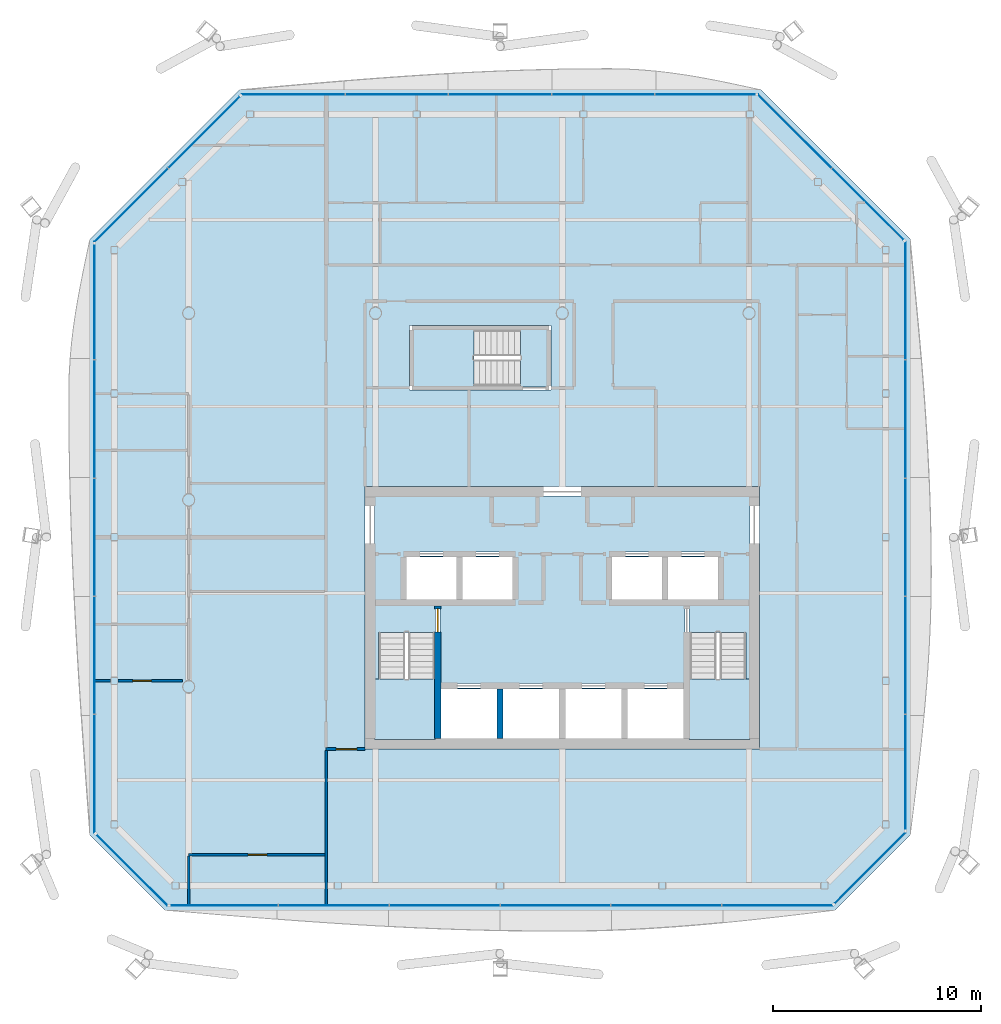
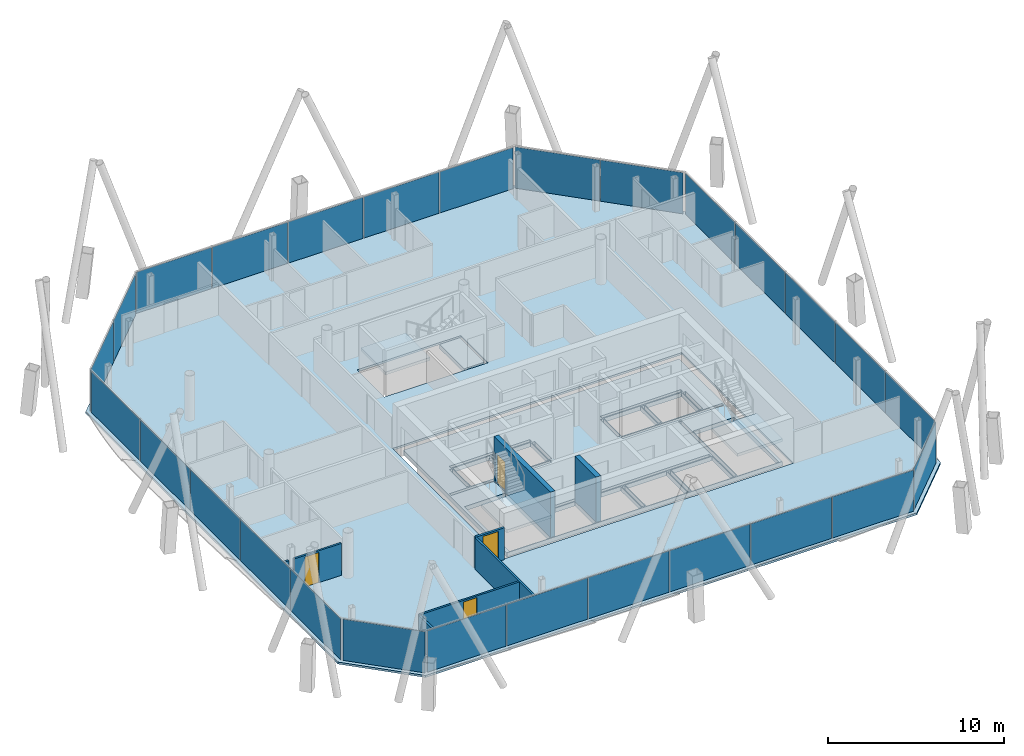
# One storey, part 13 of 20: 27 plates, 8 walls, 6 slabs, 4 doors, 4 openings, 11 elements without a shape of their own.
"""IFC4 building model written with IfcOpenShell, lengths in metres."""

from ifc_helpers import new_model, si_unit, direction, frame, frame_2d, origin, origin_2d, place, context, subcontext, project, spatial, polyline, rectangle, outline, extrude, material, layer, layer_set, type_object, element, fill, aggregate, save


model = new_model("IFC4")

# Units and contexts
model_context = context("Model", 3, precision=1e-05, world=origin(), true_north=direction((0.0, 1.0)))
body_context = subcontext(model_context, "Body", "Model", "MODEL_VIEW")
ifc_project = project(units=[si_unit("LENGTHUNIT", "METRE"), si_unit("AREAUNIT", "SQUARE_METRE"), si_unit("VOLUMEUNIT", "CUBIC_METRE"), si_unit("PLANEANGLEUNIT", "RADIAN"), si_unit("MASSUNIT", "GRAM", prefix="KILO")], contexts=[model_context])

# Site, building, storey
site_placement = place(None, origin())
site = spatial("IfcSite", under=ifc_project, at=site_placement, CompositionType="ELEMENT")
building_placement = place(site_placement, origin())
building = spatial("IfcBuilding", under=site, at=building_placement, Name="Tskaro Facet Tower", CompositionType="ELEMENT")
storey_placement = place(building_placement, frame((0.0, 0.0, 200.550048828125)))
storey = spatial("IfcBuildingStorey", under=building, at=storey_placement, Name="L51", CompositionType="ELEMENT", Elevation=200.550048828125)

# Slab
ifc_material_1 = material(Name="Concrete C30/37", Category="concrete")
ifc_layer_1 = layer(ifc_material_1, 0.139892578125, Name="Concrete C30/37")
ifc_layer_set_1 = layer_set([ifc_layer_1], Name="Concrete C30/37")
slab_type_1 = type_object("IfcSlabType", Name="Composite deck floor slab", PredefinedType="FLOOR", material=ifc_layer_set_1)
slab_1_placement = place(storey_placement, frame((0.0, 0.0, -0.14013671875)))
element("IfcSlab", 1, at=slab_1_placement, inside=storey, type_object=slab_type_1, Name="Floor slab FS3 L51", PredefinedType="FLOOR", context=body_context, shape_type="SweptSolid", body=[
    extrude(outline(polyline([(-19.1298828125, -19.782958984375), (13.1298828125, -19.782958984375), (16.782958984375, -16.1298828125), (16.782958984375, 12.54296875), (9.54296875, 19.782958984375), (-15.54296875, 19.782958984375), (-22.782958984375, 12.54296875), (-22.782958984375, -16.1298828125), (-19.1298828125, -19.782958984375)]), holes=[polyline([(-9.5, -12.0), (9.5, -12.0), (9.5, 0.64990234375), (-9.5, 0.64990234375), (-9.5, -12.0)]), polyline([(-7.35009765625, 5.300048828125), (-0.550048828125, 5.300048828125), (-0.550048828125, 8.39990234375), (-7.35009765625, 8.39990234375), (-7.35009765625, 5.300048828125)])]), origin(), (0.0, 0.0, 1.0), 0.14013671875),
])

# Curtain wall, plates
ifc_material_2 = material(Name="Bronze anodised aluminium 6063-T6", Category="aluminium")
curtain_wall_type = type_object("IfcCurtainWallType", Name="Bronze residence curtain wall (FW3)", PredefinedType="NOTDEFINED", material=ifc_material_2)
curtain_wall_1_placement = place(storey_placement, origin())
curtain_wall_1 = element("IfcCurtainWall", 2, at=curtain_wall_1_placement, inside=storey, type_object=curtain_wall_type, Name="FW3 south facet L51", PredefinedType="NOTDEFINED")
ifc_material_3 = material(Name="Bronze low-iron glass", Category="glass")
ifc_layer_2 = layer(ifc_material_3, 0.028076171875, Name="Bronze low-iron glass")
ifc_layer_set_2 = layer_set([ifc_layer_2], Name="Bronze low-iron glass")
plate_type = type_object("IfcPlateType", Name="FW3 bronze-tinted unit glazing 28", PredefinedType="CURTAIN_PANEL", material=ifc_layer_set_2)
plate_1_placement = place(storey_placement, frame((-16.297607421875, -19.532958984375, 0.0), z_axis=(0.0, 0.0, 1.0), x_axis=(1.0, 0.0, 0.0)))
plate_1 = element("IfcPlate", 3, at=plate_1_placement, type_object=plate_type, Name="FW3 south glazing 1.1", PredefinedType="CURTAIN_PANEL", context=body_context, shape_type="SweptSolid", body=[
    extrude(rectangle(XDim=5.177001953125, YDim=0.028076171875, at=origin_2d()), origin(), (0.0, 0.0, 1.0), 2.860107421875),
])
plate_2_placement = place(storey_placement, frame((-11.012939453125, -19.532958984375, 0.0), z_axis=(0.0, 0.0, 1.0), x_axis=(1.0, 0.0, 0.0)))
plate_2 = element("IfcPlate", 4, at=plate_2_placement, type_object=plate_type, Name="FW3 south glazing 2.1", PredefinedType="CURTAIN_PANEL", context=body_context, shape_type="SweptSolid", body=[
    extrude(rectangle(XDim=5.2919921875, YDim=0.028076171875, at=origin_2d()), origin(), (0.0, 0.0, 1.0), 2.860107421875),
])
plate_3_placement = place(storey_placement, frame((-5.6708984375, -19.532958984375, 0.0), z_axis=(0.0, 0.0, 1.0), x_axis=(1.0, 0.0, 0.0)))
plate_3 = element("IfcPlate", 5, at=plate_3_placement, type_object=plate_type, Name="FW3 south glazing 3.1", PredefinedType="CURTAIN_PANEL", context=body_context, shape_type="SweptSolid", body=[
    extrude(rectangle(XDim=5.2919921875, YDim=0.028076171875, at=origin_2d()), origin(), (0.0, 0.0, 1.0), 2.860107421875),
])
plate_4_placement = place(storey_placement, frame((-0.3291015625, -19.532958984375, 0.0), z_axis=(0.0, 0.0, 1.0), x_axis=(1.0, 0.0, 0.0)))
plate_4 = element("IfcPlate", 6, at=plate_4_placement, type_object=plate_type, Name="FW3 south glazing 4.1", PredefinedType="CURTAIN_PANEL", context=body_context, shape_type="SweptSolid", body=[
    extrude(rectangle(XDim=5.2919921875, YDim=0.028076171875, at=origin_2d()), origin(), (0.0, 0.0, 1.0), 2.860107421875),
])
plate_5_placement = place(storey_placement, frame((5.012939453125, -19.532958984375, 0.0), z_axis=(0.0, 0.0, 1.0), x_axis=(1.0, 0.0, 0.0)))
plate_5 = element("IfcPlate", 7, at=plate_5_placement, type_object=plate_type, Name="FW3 south glazing 5.1", PredefinedType="CURTAIN_PANEL", context=body_context, shape_type="SweptSolid", body=[
    extrude(rectangle(XDim=5.2919921875, YDim=0.028076171875, at=origin_2d()), origin(), (0.0, 0.0, 1.0), 2.860107421875),
])
plate_6_placement = place(storey_placement, frame((10.367431640625, -19.532958984375, 0.0), z_axis=(0.0, 0.0, 1.0), x_axis=(1.0, 0.0, 0.0)))
plate_6 = element("IfcPlate", 8, at=plate_6_placement, type_object=plate_type, Name="FW3 south glazing 6.1", PredefinedType="CURTAIN_PANEL", context=body_context, shape_type="SweptSolid", body=[
    extrude(rectangle(XDim=5.31689453125, YDim=0.028076171875, at=origin_2d()), origin(), (0.0, 0.0, 1.0), 2.860107421875),
])
aggregate(curtain_wall_1, [plate_1, plate_2, plate_3, plate_4, plate_5, plate_6])

# Curtain wall, plate
curtain_wall_2_placement = place(storey_placement, origin())
curtain_wall_2 = element("IfcCurtainWall", 9, at=curtain_wall_2_placement, inside=storey, type_object=curtain_wall_type, Name="FW3 south-east facet L51", PredefinedType="NOTDEFINED")
plate_7_placement = place(storey_placement, frame((14.8291015625, -17.72998046875, 0.0), z_axis=(0.0, 0.0, 1.0), x_axis=(0.707106781187, 0.707106781187, 0.0)))
plate_7 = element("IfcPlate", 10, at=plate_7_placement, type_object=plate_type, Name="FW3 south-east glazing 1.1", PredefinedType="CURTAIN_PANEL", context=body_context, shape_type="SweptSolid", body=[
    extrude(rectangle(XDim=4.819580078125, YDim=0.028076171875, at=origin_2d()), origin(), (0.0, 0.0, 1.0), 2.860107421875),
])
aggregate(curtain_wall_2, [plate_7])

# Curtain wall, plates
curtain_wall_3_placement = place(storey_placement, origin())
curtain_wall_3 = element("IfcCurtainWall", 11, at=curtain_wall_3_placement, inside=storey, type_object=curtain_wall_type, Name="FW3 east facet L51", PredefinedType="NOTDEFINED")
plate_8_placement = place(storey_placement, frame((16.532958984375, -13.1220703125, 0.0), z_axis=(0.0, 0.0, 1.0), x_axis=(0.0, 1.0, 0.0)))
plate_8 = element("IfcPlate", 12, at=plate_8_placement, type_object=plate_type, Name="FW3 east glazing 1.1", PredefinedType="CURTAIN_PANEL", context=body_context, shape_type="SweptSolid", body=[
    extrude(rectangle(XDim=5.528076171875, YDim=0.028076171875, at=origin_2d()), origin(), (0.0, 0.0, 1.0), 2.860107421875),
])
plate_9_placement = place(storey_placement, frame((16.532958984375, -7.486572265625, 0.0), z_axis=(0.0, 0.0, 1.0), x_axis=(0.0, 1.0, 0.0)))
plate_9 = element("IfcPlate", 13, at=plate_9_placement, type_object=plate_type, Name="FW3 east glazing 2.1", PredefinedType="CURTAIN_PANEL", context=body_context, shape_type="SweptSolid", body=[
    extrude(rectangle(XDim=5.64306640625, YDim=0.028076171875, at=origin_2d()), origin(), (0.0, 0.0, 1.0), 2.860107421875),
])
plate_10_placement = place(storey_placement, frame((16.532958984375, -1.79345703125, 0.0), z_axis=(0.0, 0.0, 1.0), x_axis=(0.0, 1.0, 0.0)))
plate_10 = element("IfcPlate", 14, at=plate_10_placement, type_object=plate_type, Name="FW3 east glazing 3.1", PredefinedType="CURTAIN_PANEL", context=body_context, shape_type="SweptSolid", body=[
    extrude(rectangle(XDim=5.64306640625, YDim=0.028076171875, at=origin_2d()), origin(), (0.0, 0.0, 1.0), 2.860107421875),
])
plate_11_placement = place(storey_placement, frame((16.532958984375, 3.8994140625, 0.0), z_axis=(0.0, 0.0, 1.0), x_axis=(0.0, 1.0, 0.0)))
plate_11 = element("IfcPlate", 15, at=plate_11_placement, type_object=plate_type, Name="FW3 east glazing 4.1", PredefinedType="CURTAIN_PANEL", context=body_context, shape_type="SweptSolid", body=[
    extrude(rectangle(XDim=5.64306640625, YDim=0.028076171875, at=origin_2d()), origin(), (0.0, 0.0, 1.0), 2.860107421875),
])
plate_12_placement = place(storey_placement, frame((16.532958984375, 9.60498046875, 0.0), z_axis=(0.0, 0.0, 1.0), x_axis=(0.0, 1.0, 0.0)))
plate_12 = element("IfcPlate", 16, at=plate_12_placement, type_object=plate_type, Name="FW3 east glazing 5.1", PredefinedType="CURTAIN_PANEL", context=body_context, shape_type="SweptSolid", body=[
    extrude(rectangle(XDim=5.66796875, YDim=0.028076171875, at=origin_2d()), origin(), (0.0, 0.0, 1.0), 2.860107421875),
])
aggregate(curtain_wall_3, [plate_8, plate_9, plate_10, plate_11, plate_12])

curtain_wall_4_placement = place(storey_placement, origin())
curtain_wall_4 = element("IfcCurtainWall", 17, at=curtain_wall_4_placement, inside=storey, type_object=curtain_wall_type, Name="FW3 north-east facet L51", PredefinedType="NOTDEFINED")
plate_13_placement = place(storey_placement, frame((14.71875, 14.253173828125, 0.0), z_axis=(0.0, 0.0, 1.0), x_axis=(-0.707106781187, 0.707106781187, 0.0)))
plate_13 = element("IfcPlate", 18, at=plate_13_placement, type_object=plate_type, Name="FW3 north-east glazing 1.1", PredefinedType="CURTAIN_PANEL", context=body_context, shape_type="SweptSolid", body=[
    extrude(rectangle(XDim=4.851318359375, YDim=0.028076171875, at=origin_2d()), origin(), (0.0, 0.0, 1.0), 2.860107421875),
])
plate_14_placement = place(storey_placement, frame((11.20361328125, 17.768310546875, 0.0), z_axis=(0.0, 0.0, 1.0), x_axis=(-0.707106781187, 0.707106781187, 0.0)))
plate_14 = element("IfcPlate", 19, at=plate_14_placement, type_object=plate_type, Name="FW3 north-east glazing 2.1", PredefinedType="CURTAIN_PANEL", context=body_context, shape_type="SweptSolid", body=[
    extrude(rectangle(XDim=4.9912109375, YDim=0.028076171875, at=origin_2d()), origin(), (0.0, 0.0, 1.0), 2.860107421875),
])
aggregate(curtain_wall_4, [plate_13, plate_14])

curtain_wall_5_placement = place(storey_placement, origin())
curtain_wall_5 = element("IfcCurtainWall", 20, at=curtain_wall_5_placement, inside=storey, type_object=curtain_wall_type, Name="FW3 north facet L51", PredefinedType="NOTDEFINED")
plate_15_placement = place(storey_placement, frame((6.893798828125, 19.532958984375, 0.0), z_axis=(0.0, 0.0, 1.0), x_axis=(-1.0, 0.0, 0.0)))
plate_15 = element("IfcPlate", 21, at=plate_15_placement, type_object=plate_type, Name="FW3 north glazing 1.1", PredefinedType="CURTAIN_PANEL", context=body_context, shape_type="SweptSolid", body=[
    extrude(rectangle(XDim=4.810546875, YDim=0.028076171875, at=origin_2d()), origin(), (0.0, 0.0, 1.0), 2.860107421875),
])
plate_16_placement = place(storey_placement, frame((1.9755859375, 19.532958984375, 0.0), z_axis=(0.0, 0.0, 1.0), x_axis=(-1.0, 0.0, 0.0)))
plate_16 = element("IfcPlate", 22, at=plate_16_placement, type_object=plate_type, Name="FW3 north glazing 2.1", PredefinedType="CURTAIN_PANEL", context=body_context, shape_type="SweptSolid", body=[
    extrude(rectangle(XDim=4.925537109375, YDim=0.028076171875, at=origin_2d()), origin(), (0.0, 0.0, 1.0), 2.860107421875),
])
plate_17_placement = place(storey_placement, frame((-3.0, 19.532958984375, 0.0), z_axis=(0.0, 0.0, 1.0), x_axis=(-1.0, 0.0, 0.0)))
plate_17 = element("IfcPlate", 23, at=plate_17_placement, type_object=plate_type, Name="FW3 north glazing 3.1", PredefinedType="CURTAIN_PANEL", context=body_context, shape_type="SweptSolid", body=[
    extrude(rectangle(XDim=4.925537109375, YDim=0.028076171875, at=origin_2d()), origin(), (0.0, 0.0, 1.0), 2.860107421875),
])
plate_18_placement = place(storey_placement, frame((-7.9755859375, 19.532958984375, 0.0), z_axis=(0.0, 0.0, 1.0), x_axis=(-1.0, 0.0, 0.0)))
plate_18 = element("IfcPlate", 24, at=plate_18_placement, type_object=plate_type, Name="FW3 north glazing 4.1", PredefinedType="CURTAIN_PANEL", context=body_context, shape_type="SweptSolid", body=[
    extrude(rectangle(XDim=4.925537109375, YDim=0.028076171875, at=origin_2d()), origin(), (0.0, 0.0, 1.0), 2.860107421875),
])
plate_19_placement = place(storey_placement, frame((-12.963623046875, 19.532958984375, 0.0), z_axis=(0.0, 0.0, 1.0), x_axis=(-1.0, 0.0, 0.0)))
plate_19 = element("IfcPlate", 25, at=plate_19_placement, type_object=plate_type, Name="FW3 north glazing 5.1", PredefinedType="CURTAIN_PANEL", context=body_context, shape_type="SweptSolid", body=[
    extrude(rectangle(XDim=4.95068359375, YDim=0.028076171875, at=origin_2d()), origin(), (0.0, 0.0, 1.0), 2.860107421875),
])
aggregate(curtain_wall_5, [plate_15, plate_16, plate_17, plate_18, plate_19])

curtain_wall_6_placement = place(storey_placement, origin())
curtain_wall_6 = element("IfcCurtainWall", 26, at=curtain_wall_6_placement, inside=storey, type_object=curtain_wall_type, Name="FW3 north-west facet L51", PredefinedType="NOTDEFINED")
plate_20_placement = place(storey_placement, frame((-17.253173828125, 17.71875, 0.0), z_axis=(0.0, 0.0, 1.0), x_axis=(-0.707106781187, -0.707106781187, 0.0)))
plate_20 = element("IfcPlate", 27, at=plate_20_placement, type_object=plate_type, Name="FW3 north-west glazing 1.1", PredefinedType="CURTAIN_PANEL", context=body_context, shape_type="SweptSolid", body=[
    extrude(rectangle(XDim=4.851318359375, YDim=0.028076171875, at=origin_2d()), origin(), (0.0, 0.0, 1.0), 2.860107421875),
])
plate_21_placement = place(storey_placement, frame((-20.768310546875, 14.20361328125, 0.0), z_axis=(0.0, 0.0, 1.0), x_axis=(-0.707106781187, -0.707106781187, 0.0)))
plate_21 = element("IfcPlate", 28, at=plate_21_placement, type_object=plate_type, Name="FW3 north-west glazing 2.1", PredefinedType="CURTAIN_PANEL", context=body_context, shape_type="SweptSolid", body=[
    extrude(rectangle(XDim=4.9912109375, YDim=0.028076171875, at=origin_2d()), origin(), (0.0, 0.0, 1.0), 2.860107421875),
])
aggregate(curtain_wall_6, [plate_20, plate_21])

curtain_wall_7_placement = place(storey_placement, origin())
curtain_wall_7 = element("IfcCurtainWall", 29, at=curtain_wall_7_placement, inside=storey, type_object=curtain_wall_type, Name="FW3 west facet L51", PredefinedType="NOTDEFINED")
plate_22_placement = place(storey_placement, frame((-22.532958984375, 9.534912109375, 0.0), z_axis=(0.0, 0.0, 1.0), x_axis=(0.0, -1.0, 0.0)))
plate_22 = element("IfcPlate", 30, at=plate_22_placement, type_object=plate_type, Name="FW3 west glazing 1.1", PredefinedType="CURTAIN_PANEL", context=body_context, shape_type="SweptSolid", body=[
    extrude(rectangle(XDim=5.528076171875, YDim=0.028076171875, at=origin_2d()), origin(), (0.0, 0.0, 1.0), 2.860107421875),
])
plate_23_placement = place(storey_placement, frame((-22.532958984375, 3.8994140625, 0.0), z_axis=(0.0, 0.0, 1.0), x_axis=(0.0, -1.0, 0.0)))
plate_23 = element("IfcPlate", 31, at=plate_23_placement, type_object=plate_type, Name="FW3 west glazing 2.1", PredefinedType="CURTAIN_PANEL", context=body_context, shape_type="SweptSolid", body=[
    extrude(rectangle(XDim=5.64306640625, YDim=0.028076171875, at=origin_2d()), origin(), (0.0, 0.0, 1.0), 2.860107421875),
])
plate_24_placement = place(storey_placement, frame((-22.532958984375, -1.79345703125, 0.0), z_axis=(0.0, 0.0, 1.0), x_axis=(0.0, -1.0, 0.0)))
plate_24 = element("IfcPlate", 32, at=plate_24_placement, type_object=plate_type, Name="FW3 west glazing 3.1", PredefinedType="CURTAIN_PANEL", context=body_context, shape_type="SweptSolid", body=[
    extrude(rectangle(XDim=5.64306640625, YDim=0.028076171875, at=origin_2d()), origin(), (0.0, 0.0, 1.0), 2.860107421875),
])
plate_25_placement = place(storey_placement, frame((-22.532958984375, -7.486572265625, 0.0), z_axis=(0.0, 0.0, 1.0), x_axis=(0.0, -1.0, 0.0)))
plate_25 = element("IfcPlate", 33, at=plate_25_placement, type_object=plate_type, Name="FW3 west glazing 4.1", PredefinedType="CURTAIN_PANEL", context=body_context, shape_type="SweptSolid", body=[
    extrude(rectangle(XDim=5.64306640625, YDim=0.028076171875, at=origin_2d()), origin(), (0.0, 0.0, 1.0), 2.860107421875),
])
plate_26_placement = place(storey_placement, frame((-22.532958984375, -13.19189453125, 0.0), z_axis=(0.0, 0.0, 1.0), x_axis=(0.0, -1.0, 0.0)))
plate_26 = element("IfcPlate", 34, at=plate_26_placement, type_object=plate_type, Name="FW3 west glazing 5.1", PredefinedType="CURTAIN_PANEL", context=body_context, shape_type="SweptSolid", body=[
    extrude(rectangle(XDim=5.66796875, YDim=0.028076171875, at=origin_2d()), origin(), (0.0, 0.0, 1.0), 2.860107421875),
])
aggregate(curtain_wall_7, [plate_22, plate_23, plate_24, plate_25, plate_26])

# Curtain wall, plate
curtain_wall_8_placement = place(storey_placement, origin())
curtain_wall_8 = element("IfcCurtainWall", 35, at=curtain_wall_8_placement, inside=storey, type_object=curtain_wall_type, Name="FW3 south-west facet L51", PredefinedType="NOTDEFINED")
plate_27_placement = place(storey_placement, frame((-20.72998046875, -17.8291015625, 0.0), z_axis=(0.0, 0.0, 1.0), x_axis=(0.707106781187, -0.707106781187, 0.0)))
plate_27 = element("IfcPlate", 36, at=plate_27_placement, type_object=plate_type, Name="FW3 south-west glazing 1.1", PredefinedType="CURTAIN_PANEL", context=body_context, shape_type="SweptSolid", body=[
    extrude(rectangle(XDim=4.819580078125, YDim=0.028076171875, at=origin_2d()), origin(), (0.0, 0.0, 1.0), 2.860107421875),
])
aggregate(curtain_wall_8, [plate_27])

# Stair, slab
ifc_material_4 = material(Name="Concrete C40/50", Category="concrete")
stair_type = type_object("IfcStairType", Name="ST-TWR", PredefinedType="HALF_TURN_STAIR", material=ifc_material_4)
stair_1_placement = place(storey_placement, origin())
stair_1 = element("IfcStair", 37, at=stair_1_placement, inside=storey, type_object=stair_type, Name="L51 Exit stair 1", PredefinedType="HALF_TURN_STAIR")
ifc_layer_3 = layer(ifc_material_4, 0.199951171875, Name="Concrete C40/50")
ifc_layer_set_3 = layer_set([ifc_layer_3], Name="Concrete C40/50")
slab_type_2 = type_object("IfcSlabType", Name="SL-LANDING", PredefinedType="LANDING", material=ifc_layer_set_3)
slab_2_placement = place(storey_placement, frame((0.0, 0.0, 1.375)))
slab_2 = element("IfcSlab", 38, at=slab_2_placement, type_object=slab_type_2, Name="ST-1 landing 1", PredefinedType="LANDING", context=body_context, shape_type="SweptSolid", body=[
    extrude(outline(polyline([(-9.050048828125, -11.550048828125), (-6.10009765625, -11.550048828125), (-6.10009765625, -8.614990234375), (-9.050048828125, -8.614990234375), (-9.050048828125, -11.550048828125)])), origin(), (0.0, 0.0, 1.0), 0.199951171875),
])
aggregate(stair_1, [slab_2])

stair_2_placement = place(storey_placement, origin())
stair_2 = element("IfcStair", 39, at=stair_2_placement, inside=storey, type_object=stair_type, Name="L51 Exit stair 2", PredefinedType="HALF_TURN_STAIR")
slab_3_placement = place(storey_placement, frame((0.0, 0.0, 1.375)))
slab_3 = element("IfcSlab", 40, at=slab_3_placement, type_object=slab_type_2, Name="ST-2 landing 1", PredefinedType="LANDING", context=body_context, shape_type="SweptSolid", body=[
    extrude(outline(polyline([(6.10009765625, -11.550048828125), (9.050048828125, -11.550048828125), (9.050048828125, -8.614990234375), (6.10009765625, -8.614990234375), (6.10009765625, -11.550048828125)])), origin(), (0.0, 0.0, 1.0), 0.199951171875),
])
aggregate(stair_2, [slab_3])

stair_3_placement = place(storey_placement, origin())
stair_3 = element("IfcStair", 41, at=stair_3_placement, inside=storey, type_object=stair_type, Name="L51 Exit stair 3", PredefinedType="HALF_TURN_STAIR")
slab_4_placement = place(storey_placement, frame((0.0, 0.0, 1.375)))
slab_4 = element("IfcSlab", 42, at=slab_4_placement, type_object=slab_type_2, Name="ST-3 landing 1", PredefinedType="LANDING", context=body_context, shape_type="SweptSolid", body=[
    extrude(outline(polyline([(-7.199951171875, 5.449951171875), (-4.264892578125, 5.449951171875), (-4.264892578125, 8.25), (-7.199951171875, 8.25), (-7.199951171875, 5.449951171875)])), origin(), (0.0, 0.0, 1.0), 0.199951171875),
])
aggregate(stair_3, [slab_4])

# Slabs
ifc_material_5 = material(Name="Concrete C60/75", Category="concrete")
ifc_layer_4 = layer(ifc_material_5, 0.300048828125, Name="Concrete C60/75")
ifc_layer_set_4 = layer_set([ifc_layer_4], Name="Concrete C60/75")
slab_type_3 = type_object("IfcSlabType", Name="SLAB-CORE", PredefinedType="FLOOR", material=ifc_layer_set_4)
slab_5_placement = place(storey_placement, frame((0.0, 0.0, -0.300048828125)))
element("IfcSlab", 43, at=slab_5_placement, inside=storey, type_object=slab_type_3, Name="Core floor slab 1", PredefinedType="FLOOR", context=body_context, shape_type="SweptSolid", body=[
    extrude(outline(polyline([(-9.050048828125, 0.199951171875), (9.050048828125, 0.199951171875), (9.050048828125, 0.10009765625), (9.050048828125, -11.449951171875), (9.050048828125, -11.550048828125), (-9.050048828125, -11.550048828125), (-9.050048828125, -11.449951171875), (-9.050048828125, 0.10009765625), (-9.050048828125, 0.199951171875)]), holes=[polyline([(-5.85009765625, -9.10009765625), (-5.85009765625, -11.5), (-3.14990234375, -11.5), (-3.14990234375, -9.10009765625), (-5.85009765625, -9.10009765625)]), polyline([(-3.10009765625, -11.449951171875), (-2.89990234375, -11.449951171875), (-2.89990234375, -9.14990234375), (-3.10009765625, -9.14990234375), (-3.10009765625, -11.449951171875)]), polyline([(-2.85009765625, -9.10009765625), (-2.85009765625, -11.5), (-0.14990234375, -11.5), (-0.14990234375, -9.10009765625), (-2.85009765625, -9.10009765625)]), polyline([(-6.10009765625, -11.449951171875), (-5.89990234375, -11.449951171875), (-5.89990234375, -5.14990234375), (-6.10009765625, -5.14990234375), (-6.10009765625, -11.449951171875)]), polyline([(-8.949951171875, -5.050048828125), (-2.300048828125, -5.050048828125), (-2.300048828125, -4.85009765625), (-8.949951171875, -4.85009765625), (-8.949951171875, -5.050048828125)]), polyline([(-7.75, -4.75), (-7.550048828125, -4.75), (-7.550048828125, -2.800048828125), (-7.75, -2.800048828125), (-7.75, -4.75)]), polyline([(-7.5, -2.75), (-7.5, -4.800048828125), (-5.10009765625, -4.800048828125), (-5.10009765625, -2.75), (-7.5, -2.75)]), polyline([(-5.050048828125, -4.75), (-4.85009765625, -4.75), (-4.85009765625, -2.800048828125), (-5.050048828125, -2.800048828125), (-5.050048828125, -4.75)]), polyline([(-4.800048828125, -4.800048828125), (-2.39990234375, -4.800048828125), (-2.39990234375, -2.75), (-4.800048828125, -2.75), (-4.800048828125, -4.800048828125)]), polyline([(-2.35009765625, -4.75), (-2.14990234375, -4.75), (-2.14990234375, -2.800048828125), (-2.35009765625, -2.800048828125), (-2.35009765625, -4.75)]), polyline([(-7.60009765625, -2.699951171875), (-2.300048828125, -2.699951171875), (-2.300048828125, -2.5), (-7.60009765625, -2.5), (-7.60009765625, -2.699951171875)]), polyline([(-0.10009765625, -11.449951171875), (0.10009765625, -11.449951171875), (0.10009765625, -9.14990234375), (-0.10009765625, -9.14990234375), (-0.10009765625, -11.449951171875)]), polyline([(0.14990234375, -9.10009765625), (0.14990234375, -11.5), (2.85009765625, -11.5), (2.85009765625, -9.10009765625), (0.14990234375, -9.10009765625)]), polyline([(2.89990234375, -11.449951171875), (3.10009765625, -11.449951171875), (3.10009765625, -9.14990234375), (2.89990234375, -9.14990234375), (2.89990234375, -11.449951171875)]), polyline([(3.14990234375, -9.10009765625), (3.14990234375, -11.5), (5.85009765625, -11.5), (5.85009765625, -9.10009765625), (3.14990234375, -9.10009765625)]), polyline([(-5.800048828125, -9.050048828125), (5.800048828125, -9.050048828125), (5.800048828125, -8.85009765625), (-5.800048828125, -8.85009765625), (-5.800048828125, -9.050048828125)]), polyline([(5.89990234375, -11.449951171875), (6.10009765625, -11.449951171875), (6.10009765625, -5.14990234375), (5.89990234375, -5.14990234375), (5.89990234375, -11.449951171875)]), polyline([(2.300048828125, -5.050048828125), (8.949951171875, -5.050048828125), (8.949951171875, -4.85009765625), (2.300048828125, -4.85009765625), (2.300048828125, -5.050048828125)]), polyline([(2.14990234375, -4.75), (2.35009765625, -4.75), (2.35009765625, -2.800048828125), (2.14990234375, -2.800048828125), (2.14990234375, -4.75)]), polyline([(4.800048828125, -2.75), (2.39990234375, -2.75), (2.39990234375, -4.800048828125), (4.800048828125, -4.800048828125), (4.800048828125, -2.75)]), polyline([(4.85009765625, -4.75), (5.050048828125, -4.75), (5.050048828125, -2.800048828125), (4.85009765625, -2.800048828125), (4.85009765625, -4.75)]), polyline([(5.10009765625, -4.800048828125), (7.5, -4.800048828125), (7.5, -2.75), (5.10009765625, -2.75), (5.10009765625, -4.800048828125)]), polyline([(7.550048828125, -4.75), (7.75, -4.75), (7.75, -2.800048828125), (7.550048828125, -2.800048828125), (7.550048828125, -4.75)]), polyline([(2.300048828125, -2.699951171875), (7.60009765625, -2.699951171875), (7.60009765625, -2.5), (2.300048828125, -2.5), (2.300048828125, -2.699951171875)]), polyline([(-8.85009765625, -11.5), (-6.14990234375, -11.5), (-6.14990234375, -6.39501953125), (-8.85009765625, -6.39501953125), (-8.85009765625, -11.5)]), polyline([(6.14990234375, -6.39501953125), (6.14990234375, -11.5), (8.85009765625, -11.5), (8.85009765625, -6.39501953125), (6.14990234375, -6.39501953125)])]), origin(), (0.0, 0.0, 1.0), 0.300048828125),
])
slab_6_placement = place(storey_placement, frame((0.0, 0.0, -0.300048828125)))
element("IfcSlab", 44, at=slab_6_placement, inside=storey, type_object=slab_type_3, Name="Stair 3 floor landing 1", PredefinedType="FLOOR", context=body_context, shape_type="SweptSolid", body=[
    extrude(outline(polyline([(-2.02490234375, 5.449951171875), (-0.699951171875, 5.449951171875), (-0.699951171875, 8.25), (-2.02490234375, 8.25), (-2.02490234375, 5.449951171875)])), origin(), (0.0, 0.0, 1.0), 0.300048828125),
])

# Wall, opening, door
ifc_layer_5 = layer(ifc_material_5, 0.300048828125, Name="Concrete C60/75")
ifc_layer_set_5 = layer_set([ifc_layer_5], Name="Concrete C60/75")
wall_type_1 = type_object("IfcWallType", Name="CORE-SHAFT", PredefinedType="SHEAR", material=ifc_layer_set_5)
wall_1_placement = place(storey_placement, frame((-6.0, -11.5, 0.0), z_axis=(0.0, 0.0, 1.0), x_axis=(0.0, 1.0, 0.0)))
wall_1 = element("IfcWall", 45, at=wall_1_placement, inside=storey, type_object=wall_type_1, Name="Shaft wall W055", PredefinedType="SHEAR", context=body_context, shape_type="SweptSolid", body=[
    extrude(rectangle(XDim=6.39990234375, YDim=0.300048828125, at=frame_2d((3.199951171875, 0.0))), origin(), (0.0, 0.0, 1.0), 3.14990234375),
])
opening_1_placement = place(wall_1_placement, frame((5.14990234375, 0.0, 0.0)))
opening_1 = element("IfcOpeningElement", 46, at=opening_1_placement, cuts=wall_1, Name="Opening ST-1-D1", PredefinedType="OPENING", context=body_context, shape_type="SweptSolid", body=[
    extrude(rectangle(XDim=1.10009765625, YDim=2.10009765625, at=frame_2d((0.550048828125, 1.050048828125))), frame((0.0, 0.159912109375, 0.0), z_axis=(0.0, -1.0, 0.0), x_axis=(1.0, 0.0, 0.0)), (0.0, 0.0, 1.0), 0.320068359375),
])
ifc_material_6 = material(Name="Steel", Category="steel")
door_type_1 = type_object("IfcDoorType", Name="D-STAIR", OperationType="NOTDEFINED", PredefinedType="DOOR", material=ifc_material_6)
door_1_placement = place(opening_1_placement, origin())
door_1 = element("IfcDoor", 47, at=door_1_placement, inside=storey, type_object=door_type_1, Name="Stair door 1", OperationType="SINGLE_SWING_LEFT", OverallHeight=2.10009765625, OverallWidth=1.10009765625, PredefinedType="DOOR", context=body_context, shape_type="SweptSolid", body=[
    extrude(rectangle(XDim=1.10009765625, YDim=2.10009765625, at=frame_2d((0.550048828125, 1.050048828125))), frame((0.0, 0.02490234375, 0.0), z_axis=(0.0, -1.0, 0.0), x_axis=(1.0, 0.0, 0.0)), (0.0, 0.0, 1.0), 0.050048828125),
])
fill(opening_1, door_1)

# Wall
wall_2_placement = place(storey_placement, frame((-3.0, -11.5, 0.0), z_axis=(0.0, 0.0, 1.0), x_axis=(0.0, 1.0, 0.0)))
element("IfcWall", 48, at=wall_2_placement, inside=storey, type_object=wall_type_1, Name="Shaft wall W060", PredefinedType="SHEAR", context=body_context, shape_type="SweptSolid", body=[
    extrude(rectangle(XDim=2.39990234375, YDim=0.300048828125, at=frame_2d((1.199951171875, 0.0))), origin(), (0.0, 0.0, 1.0), 3.14990234375),
])

# Wall, opening, door
ifc_material_7 = material(Name="Gypsum board on steel studs", Category="steel")
ifc_layer_6 = layer(ifc_material_7, 0.125, Name="Gypsum board on steel studs")
ifc_layer_set_6 = layer_set([ifc_layer_6], Name="Gypsum board on steel studs")
wall_type_2 = type_object("IfcWallType", Name="PART", PredefinedType="PARTITIONING", material=ifc_layer_set_6)
wall_3_placement = place(storey_placement, frame((-11.4375, -17.0849609375, 0.0), z_axis=(0.0, 0.0, 1.0), x_axis=(-1.0, 0.0, 0.0)))
wall_3 = element("IfcWall", 49, at=wall_3_placement, inside=storey, type_object=wall_type_2, Name="Partition W001", PredefinedType="PARTITIONING", context=body_context, shape_type="SweptSolid", body=[
    extrude(rectangle(XDim=6.5625, YDim=0.125, at=frame_2d((3.28125, 0.0))), origin(), (0.0, 0.0, 1.0), 2.2099609375),
])
opening_2_placement = place(wall_3_placement, frame((2.800048828125, 0.0, 0.0)))
opening_2 = element("IfcOpeningElement", 50, at=opening_2_placement, cuts=wall_3, Name="Opening T15-D01", PredefinedType="OPENING", context=body_context, shape_type="SweptSolid", body=[
    extrude(rectangle(XDim=0.89990234375, YDim=2.10009765625, at=frame_2d((0.449951171875, 1.050048828125))), frame((0.0, 0.072509765625, 0.0), z_axis=(0.0, -1.0, 0.0), x_axis=(1.0, 0.0, 0.0)), (0.0, 0.0, 1.0), 0.14501953125),
])
ifc_material_8 = material(Name="Timber", Category="wood")
door_type_2 = type_object("IfcDoorType", Name="D-ROOM", OperationType="NOTDEFINED", PredefinedType="DOOR", material=ifc_material_8)
door_2_placement = place(opening_2_placement, origin())
door_2 = element("IfcDoor", 51, at=door_2_placement, inside=storey, type_object=door_type_2, Name="Door T15-D01", OperationType="SINGLE_SWING_RIGHT", OverallHeight=2.10009765625, OverallWidth=0.89990234375, PredefinedType="DOOR", context=body_context, shape_type="SweptSolid", body=[
    extrude(rectangle(XDim=0.89990234375, YDim=2.10009765625, at=frame_2d((0.449951171875, 1.050048828125))), frame((0.0, 0.02490234375, 0.0), z_axis=(0.0, -1.0, 0.0), x_axis=(1.0, 0.0, 0.0)), (0.0, 0.0, 1.0), 0.050048828125),
])
fill(opening_2, door_2)

# Wall
wall_4_placement = place(storey_placement, frame((-22.48291015625, -8.715087890625, 0.0), z_axis=(0.0, 0.0, 1.0), x_axis=(1.0, 0.0, 0.0)))
element("IfcWall", 52, at=wall_4_placement, inside=storey, type_object=wall_type_2, Name="Partition W006", PredefinedType="PARTITIONING", context=body_context, shape_type="SweptSolid", body=[
    extrude(rectangle(XDim=0.724853515625, YDim=0.125, at=frame_2d((0.3623046875, 0.0))), origin(), (0.0, 0.0, 1.0), 2.2099609375),
])

# Wall, opening, door
wall_5_placement = place(storey_placement, frame((-21.407958984375, -8.715087890625, 0.0), z_axis=(0.0, 0.0, 1.0), x_axis=(1.0, 0.0, 0.0)))
wall_5 = element("IfcWall", 53, at=wall_5_placement, inside=storey, type_object=wall_type_2, Name="Partition W007", PredefinedType="PARTITIONING", context=body_context, shape_type="SweptSolid", body=[
    extrude(rectangle(XDim=3.10302734375, YDim=0.125, at=frame_2d((1.551513671875, 0.0))), origin(), (0.0, 0.0, 1.0), 2.2099609375),
])
opening_3_placement = place(wall_5_placement, frame((0.716552734375, 0.0, 0.0)))
opening_3 = element("IfcOpeningElement", 54, at=opening_3_placement, cuts=wall_5, Name="Opening T15-D04", PredefinedType="OPENING", context=body_context, shape_type="SweptSolid", body=[
    extrude(rectangle(XDim=0.89990234375, YDim=2.10009765625, at=frame_2d((0.449951171875, 1.050048828125))), frame((0.0, 0.072509765625, 0.0), z_axis=(0.0, -1.0, 0.0), x_axis=(1.0, 0.0, 0.0)), (0.0, 0.0, 1.0), 0.14501953125),
])
door_3_placement = place(opening_3_placement, origin())
door_3 = element("IfcDoor", 55, at=door_3_placement, inside=storey, type_object=door_type_2, Name="Door T15-D04", OperationType="SINGLE_SWING_LEFT", OverallHeight=2.10009765625, OverallWidth=0.89990234375, PredefinedType="DOOR", context=body_context, shape_type="SweptSolid", body=[
    extrude(rectangle(XDim=0.89990234375, YDim=2.10009765625, at=frame_2d((0.449951171875, 1.050048828125))), frame((0.0, 0.02490234375, 0.0), z_axis=(0.0, -1.0, 0.0), x_axis=(1.0, 0.0, 0.0)), (0.0, 0.0, 1.0), 0.050048828125),
])
fill(opening_3, door_3)

# Walls
wall_6_placement = place(storey_placement, frame((-18.0, -19.48291015625, 0.0), z_axis=(0.0, 0.0, 1.0), x_axis=(0.0, 1.0, 0.0)))
element("IfcWall", 56, at=wall_6_placement, inside=storey, type_object=wall_type_2, Name="Partition W043", PredefinedType="PARTITIONING", context=body_context, shape_type="SweptSolid", body=[
    extrude(rectangle(XDim=2.33544921875, YDim=0.125, at=frame_2d((1.167724609375, 0.0))), origin(), (0.0, 0.0, 1.0), 2.2099609375),
])
wall_7_placement = place(storey_placement, frame((-11.375, -19.48291015625, 0.0), z_axis=(0.0, 0.0, 1.0), x_axis=(0.0, 1.0, 0.0)))
element("IfcWall", 57, at=wall_7_placement, inside=storey, type_object=wall_type_2, Name="Partition W046", PredefinedType="PARTITIONING", context=body_context, shape_type="SweptSolid", body=[
    extrude(rectangle(XDim=7.407958984375, YDim=0.125, at=frame_2d((3.7041015625, 0.0))), origin(), (0.0, 0.0, 1.0), 2.2099609375),
])

# Wall, opening, door
ifc_layer_7 = layer(ifc_material_7, 0.14990234375, Name="Gypsum board on steel studs")
ifc_layer_set_7 = layer_set([ifc_layer_7], Name="Gypsum board on steel studs")
wall_type_3 = type_object("IfcWallType", Name="PART-CORR", PredefinedType="PARTITIONING", material=ifc_layer_set_7)
wall_8_placement = place(storey_placement, frame((-9.5, -12.0, 0.0), z_axis=(0.0, 0.0, 1.0), x_axis=(-1.0, 0.0, 0.0)))
wall_8 = element("IfcWall", 58, at=wall_8_placement, inside=storey, type_object=wall_type_3, Name="Corridor wall W002", PredefinedType="PARTITIONING", context=body_context, shape_type="SweptSolid", body=[
    extrude(rectangle(XDim=1.875, YDim=0.14990234375, at=frame_2d((0.9375, 0.0))), origin(), (0.0, 0.0, 1.0), 2.2099609375),
])
opening_4_placement = place(wall_8_placement, frame((0.39990234375, 0.0, 0.0)))
opening_4 = element("IfcOpeningElement", 59, at=opening_4_placement, cuts=wall_8, Name="Opening T15-D02", PredefinedType="OPENING", context=body_context, shape_type="SweptSolid", body=[
    extrude(rectangle(XDim=1.0, YDim=2.10009765625, at=frame_2d((0.5, 1.050048828125))), frame((0.0, 0.0849609375, 0.0), z_axis=(0.0, -1.0, 0.0), x_axis=(1.0, 0.0, 0.0)), (0.0, 0.0, 1.0), 0.169921875),
])
door_type_3 = type_object("IfcDoorType", Name="D-ROOM-WIDE", OperationType="NOTDEFINED", PredefinedType="DOOR", material=ifc_material_8)
door_4_placement = place(opening_4_placement, origin())
door_4 = element("IfcDoor", 60, at=door_4_placement, inside=storey, type_object=door_type_3, Name="Door T15-D02", OperationType="SINGLE_SWING_RIGHT", OverallHeight=2.10009765625, OverallWidth=1.0, PredefinedType="DOOR", context=body_context, shape_type="SweptSolid", body=[
    extrude(rectangle(XDim=1.0, YDim=2.10009765625, at=frame_2d((0.5, 1.050048828125))), frame((0.0, 0.02490234375, 0.0), z_axis=(0.0, -1.0, 0.0), x_axis=(1.0, 0.0, 0.0)), (0.0, 0.0, 1.0), 0.050048828125),
])
fill(opening_4, door_4)

save(model, "model.ifc")
